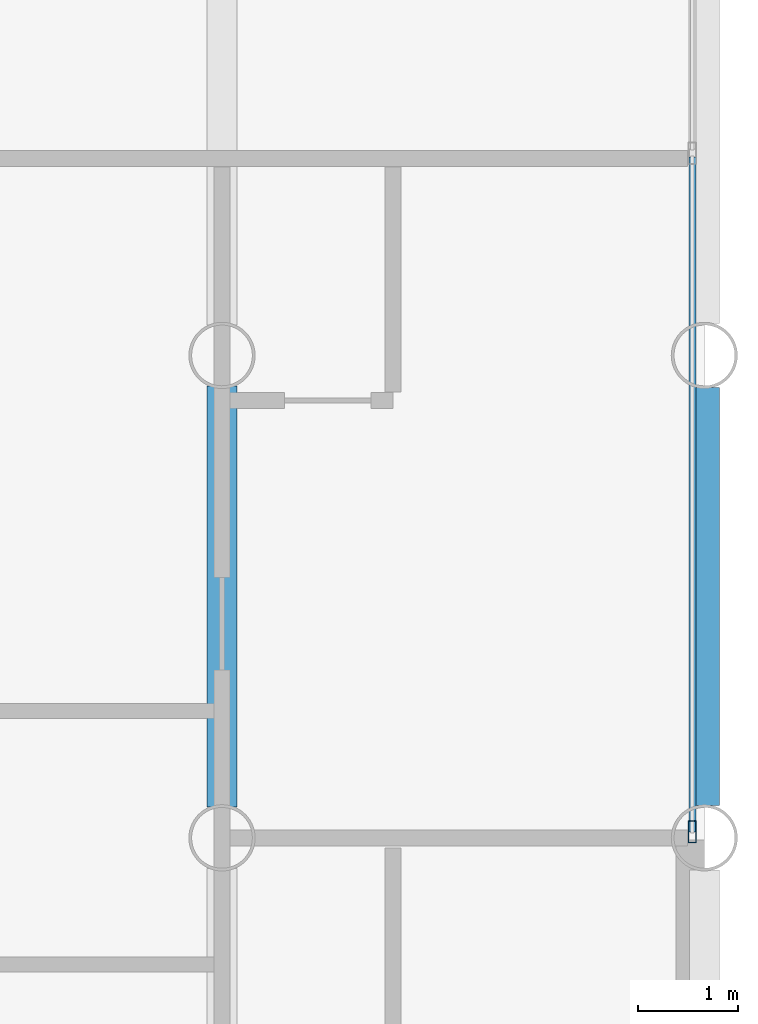
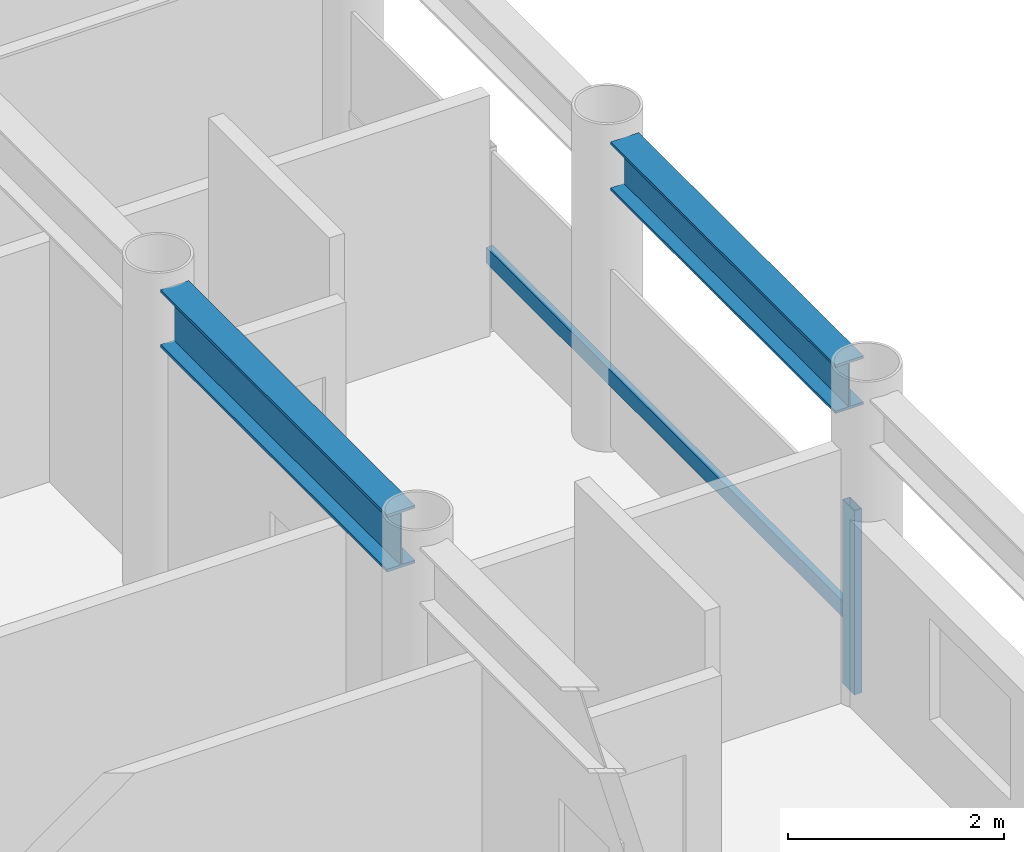
# One storey, part 8 of 22: 2 beams, 2 members, 1 element without a shape of its own.
"""IFC4 building model written with IfcOpenShell, lengths in metres."""

from ifc_helpers import new_model, si_unit, direction, frame, origin, origin_2d, place, context, subcontext, project, spatial, hollow_rectangle, i_section, extrude, material, layer, layer_set, material_profile, profile_set, type_object, element, aggregate, save


model = new_model("IFC4")

# Units and contexts
model_context = context("Model", 3, precision=1e-05, world=origin(), true_north=direction((0.0, 1.0)))
body_context = subcontext(model_context, "Body", "Model", "MODEL_VIEW")
ifc_project = project(units=[si_unit("LENGTHUNIT", "METRE"), si_unit("AREAUNIT", "SQUARE_METRE"), si_unit("VOLUMEUNIT", "CUBIC_METRE"), si_unit("PLANEANGLEUNIT", "RADIAN"), si_unit("MASSUNIT", "GRAM", prefix="KILO")], contexts=[model_context])

# Site, building, storey
site_placement = place(None, origin())
site = spatial("IfcSite", under=ifc_project, at=site_placement, CompositionType="ELEMENT")
building_placement = place(site_placement, origin())
building = spatial("IfcBuilding", under=site, at=building_placement, Name="Kallvorn Hotel Tower", CompositionType="ELEMENT")
storey_placement = place(building_placement, frame((0.0, 0.0, 110.0)))
storey = spatial("IfcBuildingStorey", under=building, at=storey_placement, Name="L26", CompositionType="ELEMENT", Elevation=110.0)

# Beams
ifc_material_1 = material(Name="Structural steel S355JR", Category="steel")
ifc_material_profile_1 = material_profile(ifc_material_1, i_section(OverallWidth=0.300048828125, OverallDepth=0.550048828125, WebThickness=0.014892578125, FlangeThickness=0.029052734375, at=origin_2d()), Name="HE 550 B")
ifc_profile_set_1 = profile_set([ifc_material_profile_1], Name="Structural steel S355JR")
beam_type_1 = type_object("IfcBeamType", Name="BM_HE550B", PredefinedType="SPANDREL", material=ifc_profile_set_1)
beam_1_placement = place(storey_placement, frame((33.60009765625, 0.320068359375, 3.2451171875), z_axis=(0.0, 1.0, 0.0), x_axis=(-1.0, 0.0, 0.0)))
element("IfcBeam", 1, at=beam_1_placement, inside=storey, type_object=beam_type_1, Name="L27 Perimeter Spandrel 185", PredefinedType="SPANDREL", context=body_context, shape_type="SweptSolid", body=[
    extrude(i_section(OverallWidth=0.300048828125, OverallDepth=0.550048828125, WebThickness=0.014892578125, FlangeThickness=0.029052734375, at=origin_2d()), origin(), (0.0, 0.0, 1.0), 4.159912109375),
])
ifc_material_2 = material(Name="Structural steel S355JR", Category="steel")
ifc_material_profile_2 = material_profile(ifc_material_2, i_section(OverallWidth=0.300048828125, OverallDepth=0.64990234375, WebThickness=0.01611328125, FlangeThickness=0.031005859375, at=origin_2d()), Name="HE 650 B")
ifc_profile_set_2 = profile_set([ifc_material_profile_2], Name="Structural steel S355JR")
beam_type_2 = type_object("IfcBeamType", Name="BM_HE650B", PredefinedType="BEAM", material=ifc_profile_set_2)
beam_2_placement = place(storey_placement, frame((28.800048828125, 0.304931640625, 3.195068359375), z_axis=(0.0, 1.0, 0.0), x_axis=(-1.0, 0.0, 0.0)))
element("IfcBeam", 2, at=beam_2_placement, inside=storey, type_object=beam_type_2, Name="L27 Primary Y-Girder 146", PredefinedType="BEAM", context=body_context, shape_type="SweptSolid", body=[
    extrude(i_section(OverallWidth=0.300048828125, OverallDepth=0.64990234375, WebThickness=0.01611328125, FlangeThickness=0.031005859375, at=origin_2d()), origin(), (0.0, 0.0, 1.0), 4.190185546875),
])

# Curtain wall, members
ifc_material_3 = material(Name="Thermally broken black-anodised aluminium AA 6063-T6", Category="aluminium")
ifc_layer = layer(ifc_material_3, 0.199951171875)
ifc_layer_set = layer_set([ifc_layer], Name="CW_SYS_3_HOTEL_LOW")
curtain_wall_type = type_object("IfcCurtainWallType", Name="CW_SYS_3_HOTEL_LOW", PredefinedType="USERDEFINED", material=ifc_layer_set)
curtain_wall_placement = place(storey_placement, origin())
curtain_wall = element("IfcCurtainWall", 3, at=curtain_wall_placement, inside=storey, type_object=curtain_wall_type, Name="L26 Dark-Glass Curtain Wall CW-L26-EN", ObjectType="UNITISED CURTAIN WALL", PredefinedType="USERDEFINED")
ifc_material_4 = material(Name="Thermally broken black-anodised aluminium AA 6063-T6", Category="aluminium")
ifc_material_profile_3 = material_profile(ifc_material_4, hollow_rectangle(XDim=0.080078125, YDim=0.219970703125, WallThickness=0.0048828125, at=origin_2d()), Name="MUL 220x80")
ifc_profile_set_3 = profile_set([ifc_material_profile_3], Name="Thermally broken black-anodised aluminium AA 6063-T6")
member_type_1 = type_object("IfcMemberType", Name="CW_MULLION_220x80", PredefinedType="MULLION", material=ifc_profile_set_3)
member_1_placement = place(storey_placement, frame((33.47998046875, 0.06005859375, 0.02001953125), z_axis=(0.0, 0.0, 1.0), x_axis=(1.0, 0.0, 0.0)))
member_1 = element("IfcMember", 4, at=member_1_placement, type_object=member_type_1, Name="CW-L26-EN Mullion 00", PredefinedType="MULLION", context=body_context, shape_type="SweptSolid", body=[
    extrude(hollow_rectangle(XDim=0.080078125, YDim=0.219970703125, WallThickness=0.0048828125, at=origin_2d()), origin(), (0.0, 0.0, 1.0), 2.080078125),
])
ifc_material_5 = material(Name="Thermally broken black-anodised aluminium AA 6063-T6", Category="aluminium")
ifc_material_profile_4 = material_profile(ifc_material_5, hollow_rectangle(XDim=0.070068359375, YDim=0.179931640625, WallThickness=0.00390625, at=origin_2d()), Name="TRN 180x70")
ifc_profile_set_4 = profile_set([ifc_material_profile_4], Name="Thermally broken black-anodised aluminium AA 6063-T6")
member_type_2 = type_object("IfcMemberType", Name="CW_TRANSOM_180x70", PredefinedType="USERDEFINED", material=ifc_profile_set_4)
member_2_placement = place(storey_placement, frame((33.47998046875, 0.06005859375, 0.85009765625), z_axis=(0.0, 1.0, 0.0), x_axis=(-1.0, 0.0, 0.0)))
member_2 = element("IfcMember", 5, at=member_2_placement, type_object=member_type_2, Name="CW-L26-EN Transom 00M", ObjectType="TRANSOM", PredefinedType="USERDEFINED", context=body_context, shape_type="SweptSolid", body=[
    extrude(hollow_rectangle(XDim=0.070068359375, YDim=0.179931640625, WallThickness=0.00390625, at=origin_2d()), origin(), (0.0, 0.0, 1.0), 6.713134765625),
])
aggregate(curtain_wall, [member_1, member_2])

save(model, "model.ifc")
